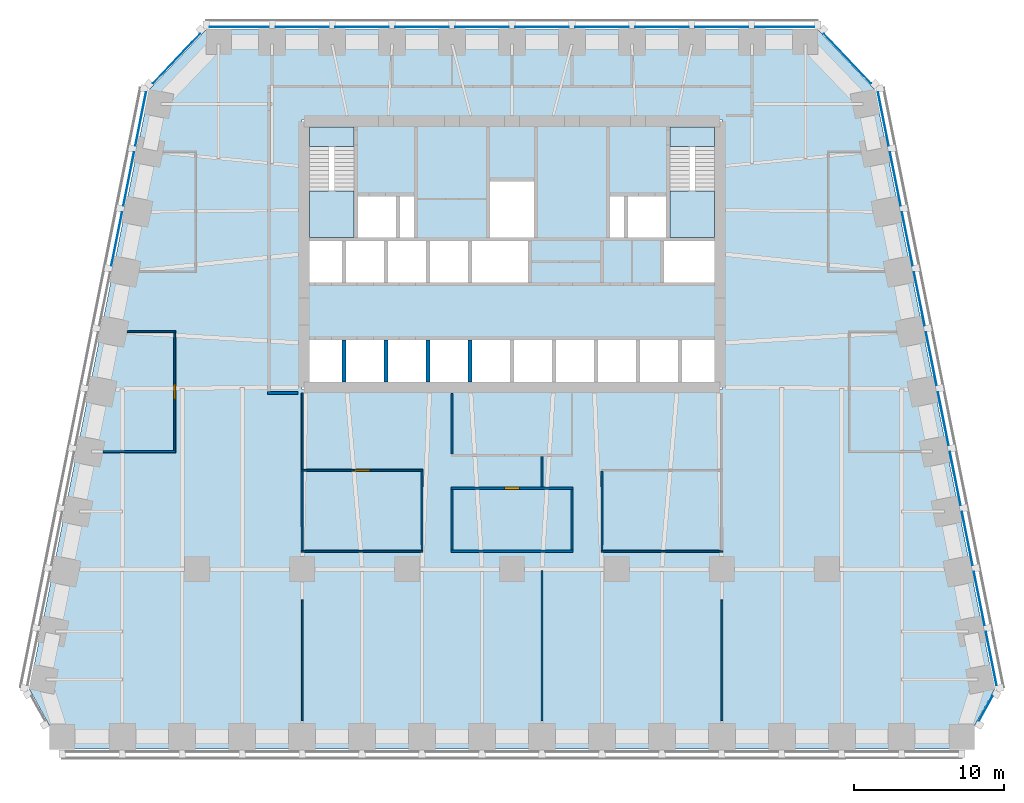
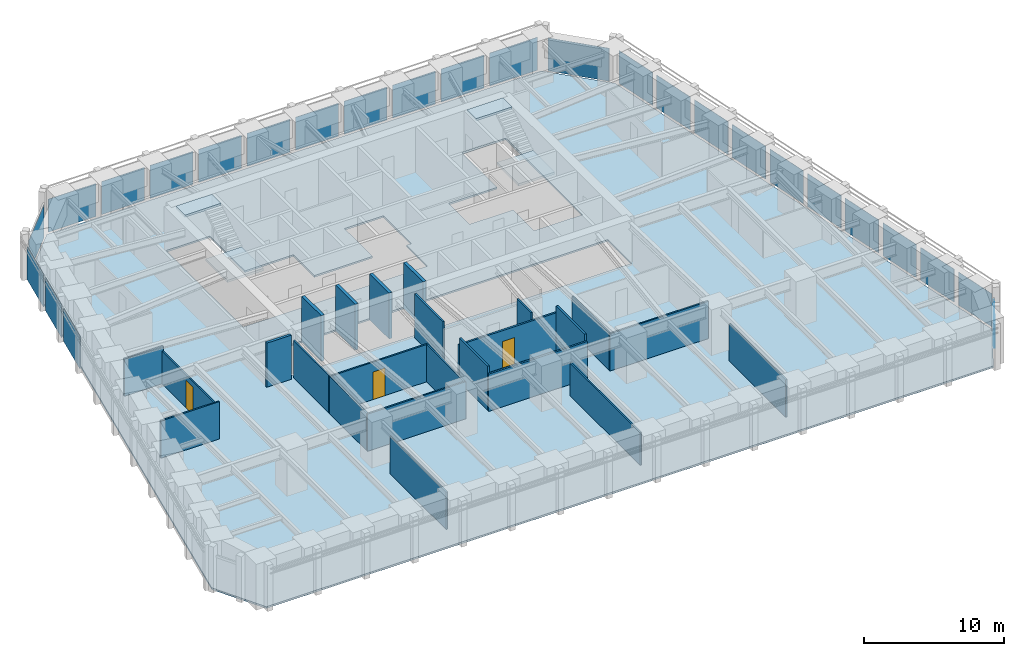
# One storey, part 5 of 10: 26 plates, 24 walls, 5 slabs, 3 doors, 3 openings, 8 elements without a shape of their own.
"""IFC4 building model written with IfcOpenShell, lengths in metres."""

from ifc_helpers import new_model, si_unit, direction, frame, frame_2d, origin, origin_2d, place, context, subcontext, project, spatial, polyline, rectangle, outline, extrude, material, layer, layer_set, type_object, element, fill, aggregate, save


model = new_model("IFC4")

# Units and contexts
model_context = context("Model", 3, precision=1e-05, world=origin(), true_north=direction((0.0, 1.0)))
body_context = subcontext(model_context, "Body", "Model", "MODEL_VIEW")
ifc_project = project(units=[si_unit("LENGTHUNIT", "METRE"), si_unit("AREAUNIT", "SQUARE_METRE"), si_unit("VOLUMEUNIT", "CUBIC_METRE"), si_unit("PLANEANGLEUNIT", "RADIAN"), si_unit("MASSUNIT", "GRAM", prefix="KILO")], contexts=[model_context])

# Site, building, storey
site_placement = place(None, origin())
site = spatial("IfcSite", under=ifc_project, at=site_placement, CompositionType="ELEMENT")
building_placement = place(site_placement, origin())
building = spatial("IfcBuilding", under=site, at=building_placement, Name="Isbrekke Arena Tower", CompositionType="ELEMENT")
storey_placement = place(building_placement, frame((0.0, 0.0, 147.0)))
storey = spatial("IfcBuildingStorey", under=building, at=storey_placement, Name="L33", CompositionType="ELEMENT", Elevation=147.0)

# Curtain wall, plate
ifc_material_1 = material(Name="Glazed aluminium curtain wall", Category="aluminium")
curtain_wall_type = type_object("IfcCurtainWallType", Name="CWM TOWER CURTAIN WALL MID ZONE", PredefinedType="USERDEFINED", material=ifc_material_1)
curtain_wall_1_placement = place(storey_placement, origin())
curtain_wall_1 = element("IfcCurtainWall", 1, at=curtain_wall_1_placement, inside=storey, type_object=curtain_wall_type, Name="CWM curtain wall L33-SE", ObjectType="TOWER CURTAIN WALL MID ZONE", PredefinedType="USERDEFINED")
ifc_material_2 = material(Name="Triple-glazed clear glass unit", Category="glass")
ifc_layer_1 = layer(ifc_material_2, 0.031982421875)
ifc_layer_set_1 = layer_set([ifc_layer_1], Name="CWM-P VISION PANEL")
plate_type = type_object("IfcPlateType", Name="CWM-P VISION PANEL", PredefinedType="CURTAIN_PANEL", material=ifc_layer_set_1)
plate_1_placement = place(storey_placement, frame((31.604248046875, -15.29052734375, 0.02001953125), z_axis=(0.0, 0.0, 1.0), x_axis=(0.481918749773, 0.876215908676, 0.0)))
plate_1 = element("IfcPlate", 2, at=plate_1_placement, type_object=plate_type, Name="CWM-P panel 1", PredefinedType="CURTAIN_PANEL", context=body_context, shape_type="SweptSolid", body=[
    extrude(rectangle(XDim=1.876220703125, YDim=0.031982421875, at=origin_2d()), origin(), (0.0, 0.0, 1.0), 2.8798828125),
])
aggregate(curtain_wall_1, [plate_1])

# Curtain wall, plates
curtain_wall_2_placement = place(storey_placement, origin())
curtain_wall_2 = element("IfcCurtainWall", 3, at=curtain_wall_2_placement, inside=storey, type_object=curtain_wall_type, Name="CWM curtain wall L33-E", ObjectType="TOWER CURTAIN WALL MID ZONE", PredefinedType="USERDEFINED")
plate_2_placement = place(storey_placement, frame((31.9716796875, -11.965576171875, 0.02001953125), z_axis=(0.0, 0.0, 1.0), x_axis=(-0.196116135138, 0.980580675691, 0.0)))
plate_2 = element("IfcPlate", 4, at=plate_2_placement, type_object=plate_type, Name="CWM-P panel 1", PredefinedType="CURTAIN_PANEL", context=body_context, shape_type="SweptSolid", body=[
    extrude(rectangle(XDim=3.629150390625, YDim=0.031982421875, at=origin_2d()), origin(), (0.0, 0.0, 1.0), 2.8798828125),
])
plate_3_placement = place(storey_placement, frame((31.171630859375, -7.965576171875, 0.02001953125), z_axis=(0.0, 0.0, 1.0), x_axis=(-0.196116135138, 0.980580675691, 0.0)))
plate_3 = element("IfcPlate", 5, at=plate_3_placement, type_object=plate_type, Name="CWM-P panel 2", PredefinedType="CURTAIN_PANEL", context=body_context, shape_type="SweptSolid", body=[
    extrude(rectangle(XDim=3.629150390625, YDim=0.031982421875, at=origin_2d()), origin(), (0.0, 0.0, 1.0), 2.8798828125),
])
plate_4_placement = place(storey_placement, frame((30.37158203125, -3.965576171875, 0.02001953125), z_axis=(0.0, 0.0, 1.0), x_axis=(-0.196116135138, 0.980580675691, 0.0)))
plate_4 = element("IfcPlate", 6, at=plate_4_placement, type_object=plate_type, Name="CWM-P panel 3", PredefinedType="CURTAIN_PANEL", context=body_context, shape_type="SweptSolid", body=[
    extrude(rectangle(XDim=3.629150390625, YDim=0.031982421875, at=origin_2d()), origin(), (0.0, 0.0, 1.0), 2.8798828125),
])
plate_5_placement = place(storey_placement, frame((29.571533203125, 0.034423828125, 0.02001953125), z_axis=(0.0, 0.0, 1.0), x_axis=(-0.196116135138, 0.980580675691, 0.0)))
plate_5 = element("IfcPlate", 7, at=plate_5_placement, type_object=plate_type, Name="CWM-P panel 4", PredefinedType="CURTAIN_PANEL", context=body_context, shape_type="SweptSolid", body=[
    extrude(rectangle(XDim=3.629150390625, YDim=0.031982421875, at=origin_2d()), origin(), (0.0, 0.0, 1.0), 2.8798828125),
])
plate_6_placement = place(storey_placement, frame((28.771484375, 4.034423828125, 0.02001953125), z_axis=(0.0, 0.0, 1.0), x_axis=(-0.196116135138, 0.980580675691, 0.0)))
plate_6 = element("IfcPlate", 8, at=plate_6_placement, type_object=plate_type, Name="CWM-P panel 5", PredefinedType="CURTAIN_PANEL", context=body_context, shape_type="SweptSolid", body=[
    extrude(rectangle(XDim=3.629150390625, YDim=0.031982421875, at=origin_2d()), origin(), (0.0, 0.0, 1.0), 2.8798828125),
])
plate_7_placement = place(storey_placement, frame((27.9716796875, 8.034423828125, 0.02001953125), z_axis=(0.0, 0.0, 1.0), x_axis=(-0.196116135138, 0.980580675691, 0.0)))
plate_7 = element("IfcPlate", 9, at=plate_7_placement, type_object=plate_type, Name="CWM-P panel 6", PredefinedType="CURTAIN_PANEL", context=body_context, shape_type="SweptSolid", body=[
    extrude(rectangle(XDim=3.629150390625, YDim=0.031982421875, at=origin_2d()), origin(), (0.0, 0.0, 1.0), 2.8798828125),
])
plate_8_placement = place(storey_placement, frame((27.171630859375, 12.034423828125, 0.02001953125), z_axis=(0.0, 0.0, 1.0), x_axis=(-0.196116135138, 0.980580675691, 0.0)))
plate_8 = element("IfcPlate", 10, at=plate_8_placement, type_object=plate_type, Name="CWM-P panel 7", PredefinedType="CURTAIN_PANEL", context=body_context, shape_type="SweptSolid", body=[
    extrude(rectangle(XDim=3.629150390625, YDim=0.031982421875, at=origin_2d()), origin(), (0.0, 0.0, 1.0), 2.8798828125),
])
plate_9_placement = place(storey_placement, frame((26.37158203125, 16.034423828125, 0.02001953125), z_axis=(0.0, 0.0, 1.0), x_axis=(-0.196116135138, 0.980580675691, 0.0)))
plate_9 = element("IfcPlate", 11, at=plate_9_placement, type_object=plate_type, Name="CWM-P panel 8", PredefinedType="CURTAIN_PANEL", context=body_context, shape_type="SweptSolid", body=[
    extrude(rectangle(XDim=3.629150390625, YDim=0.031982421875, at=origin_2d()), origin(), (0.0, 0.0, 1.0), 2.8798828125),
])
plate_10_placement = place(storey_placement, frame((25.571533203125, 20.034423828125, 0.02001953125), z_axis=(0.0, 0.0, 1.0), x_axis=(-0.196116135138, 0.980580675691, 0.0)))
plate_10 = element("IfcPlate", 12, at=plate_10_placement, type_object=plate_type, Name="CWM-P panel 9", PredefinedType="CURTAIN_PANEL", context=body_context, shape_type="SweptSolid", body=[
    extrude(rectangle(XDim=3.629150390625, YDim=0.031982421875, at=origin_2d()), origin(), (0.0, 0.0, 1.0), 2.8798828125),
])
plate_11_placement = place(storey_placement, frame((24.771484375, 24.034423828125, 0.02001953125), z_axis=(0.0, 0.0, 1.0), x_axis=(-0.196116135138, 0.980580675691, 0.0)))
plate_11 = element("IfcPlate", 13, at=plate_11_placement, type_object=plate_type, Name="CWM-P panel 10", PredefinedType="CURTAIN_PANEL", context=body_context, shape_type="SweptSolid", body=[
    extrude(rectangle(XDim=3.629150390625, YDim=0.031982421875, at=origin_2d()), origin(), (0.0, 0.0, 1.0), 2.8798828125),
])
aggregate(curtain_wall_2, [plate_2, plate_3, plate_4, plate_5, plate_6, plate_7, plate_8, plate_9, plate_10, plate_11])

# Curtain wall, plate
curtain_wall_3_placement = place(storey_placement, origin())
curtain_wall_3 = element("IfcCurtainWall", 14, at=curtain_wall_3_placement, inside=storey, type_object=curtain_wall_type, Name="CWM curtain wall L33-EN", ObjectType="TOWER CURTAIN WALL MID ZONE", PredefinedType="USERDEFINED")
plate_12_placement = place(storey_placement, frame((22.374755859375, 28.06640625, 0.02001953125), z_axis=(0.0, 0.0, 1.0), x_axis=(-0.68874946192, 0.72499943359, 0.0)))
plate_12 = element("IfcPlate", 15, at=plate_12_placement, type_object=plate_type, Name="CWM-P panel 1", PredefinedType="CURTAIN_PANEL", context=body_context, shape_type="SweptSolid", body=[
    extrude(rectangle(XDim=4.558349609375, YDim=0.031982421875, at=origin_2d()), origin(), (0.0, 0.0, 1.0), 2.8798828125),
])
aggregate(curtain_wall_3, [plate_12])

# Curtain wall, plates
curtain_wall_4_placement = place(storey_placement, origin())
curtain_wall_4 = element("IfcCurtainWall", 16, at=curtain_wall_4_placement, inside=storey, type_object=curtain_wall_type, Name="CWM curtain wall L33-N", ObjectType="TOWER CURTAIN WALL MID ZONE", PredefinedType="USERDEFINED")
plate_13_placement = place(storey_placement, frame((18.199951171875, 30.175048828125, 0.02001953125), z_axis=(0.0, 0.0, 1.0), x_axis=(-1.0, 0.0, 0.0)))
plate_13 = element("IfcPlate", 17, at=plate_13_placement, type_object=plate_type, Name="CWM-P panel 1", PredefinedType="CURTAIN_PANEL", context=body_context, shape_type="SweptSolid", body=[
    extrude(rectangle(XDim=3.949951171875, YDim=0.031982421875, at=origin_2d()), origin(), (0.0, 0.0, 1.0), 2.8798828125),
])
plate_14_placement = place(storey_placement, frame((14.0, 30.175048828125, 0.02001953125), z_axis=(0.0, 0.0, 1.0), x_axis=(-1.0, 0.0, 0.0)))
plate_14 = element("IfcPlate", 18, at=plate_14_placement, type_object=plate_type, Name="CWM-P panel 2", PredefinedType="CURTAIN_PANEL", context=body_context, shape_type="SweptSolid", body=[
    extrude(rectangle(XDim=3.550048828125, YDim=0.031982421875, at=origin_2d()), origin(), (0.0, 0.0, 1.0), 2.8798828125),
])
plate_15_placement = place(storey_placement, frame((10.0, 30.175048828125, 0.02001953125), z_axis=(0.0, 0.0, 1.0), x_axis=(-1.0, 0.0, 0.0)))
plate_15 = element("IfcPlate", 19, at=plate_15_placement, type_object=plate_type, Name="CWM-P panel 3", PredefinedType="CURTAIN_PANEL", context=body_context, shape_type="SweptSolid", body=[
    extrude(rectangle(XDim=3.550048828125, YDim=0.031982421875, at=origin_2d()), origin(), (0.0, 0.0, 1.0), 2.8798828125),
])
plate_16_placement = place(storey_placement, frame((6.0, 30.175048828125, 0.02001953125), z_axis=(0.0, 0.0, 1.0), x_axis=(-1.0, 0.0, 0.0)))
plate_16 = element("IfcPlate", 20, at=plate_16_placement, type_object=plate_type, Name="CWM-P panel 4", PredefinedType="CURTAIN_PANEL", context=body_context, shape_type="SweptSolid", body=[
    extrude(rectangle(XDim=3.550048828125, YDim=0.031982421875, at=origin_2d()), origin(), (0.0, 0.0, 1.0), 2.8798828125),
])
plate_17_placement = place(storey_placement, frame((2.0, 30.175048828125, 0.02001953125), z_axis=(0.0, 0.0, 1.0), x_axis=(-1.0, 0.0, 0.0)))
plate_17 = element("IfcPlate", 21, at=plate_17_placement, type_object=plate_type, Name="CWM-P panel 5", PredefinedType="CURTAIN_PANEL", context=body_context, shape_type="SweptSolid", body=[
    extrude(rectangle(XDim=3.550048828125, YDim=0.031982421875, at=origin_2d()), origin(), (0.0, 0.0, 1.0), 2.8798828125),
])
plate_18_placement = place(storey_placement, frame((-2.0, 30.175048828125, 0.02001953125), z_axis=(0.0, 0.0, 1.0), x_axis=(-1.0, 0.0, 0.0)))
plate_18 = element("IfcPlate", 22, at=plate_18_placement, type_object=plate_type, Name="CWM-P panel 6", PredefinedType="CURTAIN_PANEL", context=body_context, shape_type="SweptSolid", body=[
    extrude(rectangle(XDim=3.550048828125, YDim=0.031982421875, at=origin_2d()), origin(), (0.0, 0.0, 1.0), 2.8798828125),
])
plate_19_placement = place(storey_placement, frame((-6.0, 30.175048828125, 0.02001953125), z_axis=(0.0, 0.0, 1.0), x_axis=(-1.0, 0.0, 0.0)))
plate_19 = element("IfcPlate", 23, at=plate_19_placement, type_object=plate_type, Name="CWM-P panel 7", PredefinedType="CURTAIN_PANEL", context=body_context, shape_type="SweptSolid", body=[
    extrude(rectangle(XDim=3.550048828125, YDim=0.031982421875, at=origin_2d()), origin(), (0.0, 0.0, 1.0), 2.8798828125),
])
plate_20_placement = place(storey_placement, frame((-10.0, 30.175048828125, 0.02001953125), z_axis=(0.0, 0.0, 1.0), x_axis=(-1.0, 0.0, 0.0)))
plate_20 = element("IfcPlate", 24, at=plate_20_placement, type_object=plate_type, Name="CWM-P panel 8", PredefinedType="CURTAIN_PANEL", context=body_context, shape_type="SweptSolid", body=[
    extrude(rectangle(XDim=3.550048828125, YDim=0.031982421875, at=origin_2d()), origin(), (0.0, 0.0, 1.0), 2.8798828125),
])
plate_21_placement = place(storey_placement, frame((-14.0, 30.175048828125, 0.02001953125), z_axis=(0.0, 0.0, 1.0), x_axis=(-1.0, 0.0, 0.0)))
plate_21 = element("IfcPlate", 25, at=plate_21_placement, type_object=plate_type, Name="CWM-P panel 9", PredefinedType="CURTAIN_PANEL", context=body_context, shape_type="SweptSolid", body=[
    extrude(rectangle(XDim=3.550048828125, YDim=0.031982421875, at=origin_2d()), origin(), (0.0, 0.0, 1.0), 2.8798828125),
])
plate_22_placement = place(storey_placement, frame((-18.199951171875, 30.175048828125, 0.02001953125), z_axis=(0.0, 0.0, 1.0), x_axis=(-1.0, 0.0, 0.0)))
plate_22 = element("IfcPlate", 26, at=plate_22_placement, type_object=plate_type, Name="CWM-P panel 10", PredefinedType="CURTAIN_PANEL", context=body_context, shape_type="SweptSolid", body=[
    extrude(rectangle(XDim=3.949951171875, YDim=0.031982421875, at=origin_2d()), origin(), (0.0, 0.0, 1.0), 2.8798828125),
])
aggregate(curtain_wall_4, [plate_13, plate_14, plate_15, plate_16, plate_17, plate_18, plate_19, plate_20, plate_21, plate_22])

# Curtain wall, plate
curtain_wall_5_placement = place(storey_placement, origin())
curtain_wall_5 = element("IfcCurtainWall", 27, at=curtain_wall_5_placement, inside=storey, type_object=curtain_wall_type, Name="CWM curtain wall L33-NW", ObjectType="TOWER CURTAIN WALL MID ZONE", PredefinedType="USERDEFINED")
plate_23_placement = place(storey_placement, frame((-22.37451171875, 28.066650390625, 0.02001953125), z_axis=(0.0, 0.0, 1.0), x_axis=(-0.68874946192, -0.72499943359, 0.0)))
plate_23 = element("IfcPlate", 28, at=plate_23_placement, type_object=plate_type, Name="CWM-P panel 1", PredefinedType="CURTAIN_PANEL", context=body_context, shape_type="SweptSolid", body=[
    extrude(rectangle(XDim=4.557373046875, YDim=0.031982421875, at=origin_2d()), origin(), (0.0, 0.0, 1.0), 2.8798828125),
])
aggregate(curtain_wall_5, [plate_23])

# Curtain wall, plates
curtain_wall_6_placement = place(storey_placement, origin())
curtain_wall_6 = element("IfcCurtainWall", 29, at=curtain_wall_6_placement, inside=storey, type_object=curtain_wall_type, Name="CWM curtain wall L33-W", ObjectType="TOWER CURTAIN WALL MID ZONE", PredefinedType="USERDEFINED")
plate_24_placement = place(storey_placement, frame((-24.771484375, 24.034423828125, 0.02001953125), z_axis=(0.0, 0.0, 1.0), x_axis=(-0.196116135138, -0.980580675691, 0.0)))
plate_24 = element("IfcPlate", 30, at=plate_24_placement, type_object=plate_type, Name="CWM-P panel 1", PredefinedType="CURTAIN_PANEL", context=body_context, shape_type="SweptSolid", body=[
    extrude(rectangle(XDim=3.629150390625, YDim=0.031982421875, at=origin_2d()), origin(), (0.0, 0.0, 1.0), 2.8798828125),
])
plate_25_placement = place(storey_placement, frame((-25.571533203125, 20.034423828125, 0.02001953125), z_axis=(0.0, 0.0, 1.0), x_axis=(-0.196116135138, -0.980580675691, 0.0)))
plate_25 = element("IfcPlate", 31, at=plate_25_placement, type_object=plate_type, Name="CWM-P panel 2", PredefinedType="CURTAIN_PANEL", context=body_context, shape_type="SweptSolid", body=[
    extrude(rectangle(XDim=3.629150390625, YDim=0.031982421875, at=origin_2d()), origin(), (0.0, 0.0, 1.0), 2.8798828125),
])
plate_26_placement = place(storey_placement, frame((-26.37158203125, 16.034423828125, 0.02001953125), z_axis=(0.0, 0.0, 1.0), x_axis=(-0.196116135138, -0.980580675691, 0.0)))
plate_26 = element("IfcPlate", 32, at=plate_26_placement, type_object=plate_type, Name="CWM-P panel 3", PredefinedType="CURTAIN_PANEL", context=body_context, shape_type="SweptSolid", body=[
    extrude(rectangle(XDim=3.629150390625, YDim=0.031982421875, at=origin_2d()), origin(), (0.0, 0.0, 1.0), 2.8798828125),
])
aggregate(curtain_wall_6, [plate_24, plate_25, plate_26])

# Slab
ifc_material_3 = material(Name="Concrete B35 (C35/45)", Category="concrete")
ifc_layer_2 = layer(ifc_material_3, 0.14990234375)
ifc_layer_set_2 = layer_set([ifc_layer_2], Name="FS1 COMPOSITE FLOOR 150")
slab_type_1 = type_object("IfcSlabType", Name="FS1 COMPOSITE FLOOR 150", PredefinedType="FLOOR", material=ifc_layer_set_2)
slab_1_placement = place(storey_placement, frame((0.0, 0.0, -0.14990234375)))
element("IfcSlab", 33, at=slab_1_placement, inside=storey, type_object=slab_type_1, Name="FS1 floor slab L33", PredefinedType="FLOOR", context=body_context, shape_type="SweptSolid", body=[
    extrude(outline(polyline([(-30.0, -18.0), (30.0, -18.0), (32.199951171875, -14.0), (24.199951171875, 26.0), (20.39990234375, 30.0), (-20.39990234375, 30.0), (-24.199951171875, 26.0), (-32.199951171875, -14.0), (-30.0, -18.0)]), holes=[polyline([(14.0, 9.39990234375), (14.0, 6.0), (-14.0, 6.0), (-14.0, 9.39990234375), (14.0, 9.39990234375)]), polyline([(-6.39990234375, 19.0), (-6.39990234375, 16.0), (-1.60009765625, 16.0), (-1.60009765625, 20.0), (1.60009765625, 20.0), (1.60009765625, 16.0), (1.199951171875, 16.0), (1.199951171875, 13.0), (-14.0, 13.0), (-14.0, 24.0), (-10.39990234375, 24.0), (-10.39990234375, 19.0), (-6.39990234375, 19.0)]), polyline([(10.0, 13.0), (10.0, 16.0), (6.39990234375, 16.0), (6.39990234375, 19.0), (10.39990234375, 19.0), (10.39990234375, 24.0), (14.0, 24.0), (14.0, 13.0), (10.0, 13.0)])]), origin(), (0.0, 0.0, 1.0), 0.14990234375),
])

# Stair, slabs
ifc_material_4 = material(Name="Concrete B45 (C45/55) precast", Category="concrete")
stair_type = type_object("IfcStairType", Name="ST40 STAIR 1300 WIDE, 24 RISERS 167", PredefinedType="HALF_TURN_STAIR", material=ifc_material_4)
stair_1_placement = place(storey_placement, origin())
stair_1 = element("IfcStair", 34, at=stair_1_placement, inside=storey, type_object=stair_type, Name="ST1 stair L33", PredefinedType="HALF_TURN_STAIR")
ifc_material_5 = material(Name="Concrete B35 (C35/45)", Category="concrete")
ifc_layer_3 = layer(ifc_material_5, 0.199951171875)
ifc_layer_set_3 = layer_set([ifc_layer_3], Name="SL1 STAIR LANDING 200")
slab_type_2 = type_object("IfcSlabType", Name="SL1 STAIR LANDING 200", PredefinedType="LANDING", material=ifc_layer_set_3)
slab_2_placement = place(storey_placement, frame((0.0, 0.0, 1.800048828125)))
slab_2 = element("IfcSlab", 35, at=slab_2_placement, type_object=slab_type_2, Name="ST1 landing 1", PredefinedType="LANDING", context=body_context, shape_type="SweptSolid", body=[
    extrude(outline(polyline([(-13.5, 16.125), (-10.52490234375, 16.125), (-10.52490234375, 19.22998046875), (-13.5, 19.22998046875), (-13.5, 16.125)])), origin(), (0.0, 0.0, 1.0), 0.199951171875),
])
slab_3_placement = place(storey_placement, frame((0.0, 0.0, 3.800048828125)))
slab_3 = element("IfcSlab", 36, at=slab_3_placement, type_object=slab_type_2, Name="ST1 landing 2", PredefinedType="LANDING", context=body_context, shape_type="SweptSolid", body=[
    extrude(outline(polyline([(-13.5, 22.199951171875), (-10.52490234375, 22.199951171875), (-10.52490234375, 23.5), (-13.5, 23.5), (-13.5, 22.199951171875)])), origin(), (0.0, 0.0, 1.0), 0.199951171875),
])
aggregate(stair_1, [slab_2, slab_3])

stair_2_placement = place(storey_placement, origin())
stair_2 = element("IfcStair", 37, at=stair_2_placement, inside=storey, type_object=stair_type, Name="ST2 stair L33", PredefinedType="HALF_TURN_STAIR")
slab_4_placement = place(storey_placement, frame((0.0, 0.0, 1.800048828125)))
slab_4 = element("IfcSlab", 38, at=slab_4_placement, type_object=slab_type_2, Name="ST2 landing 1", PredefinedType="LANDING", context=body_context, shape_type="SweptSolid", body=[
    extrude(outline(polyline([(10.52490234375, 16.125), (13.5, 16.125), (13.5, 19.22998046875), (10.52490234375, 19.22998046875), (10.52490234375, 16.125)])), origin(), (0.0, 0.0, 1.0), 0.199951171875),
])
slab_5_placement = place(storey_placement, frame((0.0, 0.0, 3.800048828125)))
slab_5 = element("IfcSlab", 39, at=slab_5_placement, type_object=slab_type_2, Name="ST2 landing 2", PredefinedType="LANDING", context=body_context, shape_type="SweptSolid", body=[
    extrude(outline(polyline([(10.52490234375, 22.199951171875), (13.5, 22.199951171875), (13.5, 23.5), (10.52490234375, 23.5), (10.52490234375, 22.199951171875)])), origin(), (0.0, 0.0, 1.0), 0.199951171875),
])
aggregate(stair_2, [slab_4, slab_5])

# Walls
ifc_material_6 = material(Name="Concrete B45 (C45/55)", Category="concrete")
ifc_layer_4 = layer(ifc_material_6, 0.25)
ifc_layer_set_4 = layer_set([ifc_layer_4], Name="CW6 SHAFT WALL 250")
wall_type_1 = type_object("IfcWallType", Name="CW6 SHAFT WALL 250", PredefinedType="SHEAR", material=ifc_layer_set_4)
for number, where, z_axis, x_axis, name in (
    (40, (-11.199951171875, 6.5, 0.0), (0.0, 0.0, 1.0), (0.0, 1.0, 0.0), "Core wall SS01 L33"),
    (41, (-8.39990234375, 6.5, 0.0), (0.0, 0.0, 1.0), (0.0, 1.0, 0.0), "Core wall SS02 L33"),
    (42, (-5.60009765625, 6.5, 0.0), (0.0, 0.0, 1.0), (0.0, 1.0, 0.0), "Core wall SS03 L33"),
    (43, (-2.800048828125, 6.5, 0.0), (0.0, 0.0, 1.0), (0.0, 1.0, 0.0), "Core wall SS04 L33"),
):
    element("IfcWall", number, at=place(storey_placement, frame(where, z_axis=z_axis, x_axis=x_axis)), inside=storey, type_object=wall_type_1, Name=name, PredefinedType="SHEAR", context=body_context, shape_type="SweptSolid", body=[
        extrude(rectangle(XDim=2.77490234375, YDim=0.25, at=frame_2d((1.387451171875, 0.0))), origin(), (0.0, 0.0, 1.0), 4.0),
    ])
ifc_material_7 = material(Name="Gypsum board partition on steel studs", Category="steel")
ifc_layer_5 = layer(ifc_material_7, 0.14990234375)
ifc_layer_set_5 = layer_set([ifc_layer_5], Name="IW1 PARTITION 150")
wall_type_2 = type_object("IfcWallType", Name="IW1 PARTITION 150", PredefinedType="PARTITIONING", material=ifc_layer_set_5)
wall_1_placement = place(storey_placement, frame((-4.074951171875, -4.800048828125, 0.0), z_axis=(0.0, 0.0, 1.0), x_axis=(1.0, 0.0, 0.0)))
element("IfcWall", 44, at=wall_1_placement, inside=storey, type_object=wall_type_2, Name="IW1 partition 150 L33", PredefinedType="PARTITIONING", context=body_context, shape_type="SweptSolid", body=[
    extrude(rectangle(XDim=8.14990234375, YDim=0.14990234375, at=frame_2d((4.074951171875, 0.0))), origin(), (0.0, 0.0, 1.0), 3.25),
])

# Wall, opening, door
wall_2_placement = place(storey_placement, frame((-4.074951171875, -0.60009765625, 0.0), z_axis=(0.0, 0.0, 1.0), x_axis=(1.0, 0.0, 0.0)))
wall_2 = element("IfcWall", 45, at=wall_2_placement, inside=storey, type_object=wall_type_2, Name="IW1 partition 150 L33", PredefinedType="PARTITIONING", context=body_context, shape_type="SweptSolid", body=[
    extrude(rectangle(XDim=8.14990234375, YDim=0.14990234375, at=frame_2d((4.074951171875, 0.0))), origin(), (0.0, 0.0, 1.0), 3.25),
])
opening_1_placement = place(wall_2_placement, frame((3.574951171875, 0.0, 0.0)))
opening_1 = element("IfcOpeningElement", 46, at=opening_1_placement, cuts=wall_2, Name="Opening D10", PredefinedType="OPENING", context=body_context, shape_type="SweptSolid", body=[
    extrude(rectangle(XDim=1.0, YDim=2.300048828125, at=frame_2d((0.5, 1.14990234375))), frame((0.0, 0.08984375, 0.0), z_axis=(0.0, -1.0, 0.0), x_axis=(1.0, 0.0, 0.0)), (0.0, 0.0, 1.0), 0.1796875),
])
ifc_material_8 = material(Name="Timber door", Category="wood")
door_type_1 = type_object("IfcDoorType", Name="D10 OFFICE DOOR 1000 x 2300", OperationType="SINGLE_SWING_LEFT", PredefinedType="DOOR", material=ifc_material_8)
door_1_placement = place(opening_1_placement, origin())
door_1 = element("IfcDoor", 47, at=door_1_placement, inside=storey, type_object=door_type_1, Name="D10 pantry door L33", OperationType="SINGLE_SWING_LEFT", OverallHeight=2.300048828125, OverallWidth=1.0, PredefinedType="DOOR", context=body_context, shape_type="SweptSolid", body=[
    extrude(rectangle(XDim=1.0, YDim=2.300048828125, at=frame_2d((0.5, 1.14990234375))), frame((0.0, 0.07470703125, 0.0), z_axis=(0.0, -1.0, 0.0), x_axis=(1.0, 0.0, 0.0)), (0.0, 0.0, 1.0), 0.1494140625),
])
fill(opening_1, door_1)

# Walls
wall_3_placement = place(storey_placement, frame((-4.0, -4.72509765625, 0.0), z_axis=(0.0, 0.0, 1.0), x_axis=(0.0, 1.0, 0.0)))
element("IfcWall", 48, at=wall_3_placement, inside=storey, type_object=wall_type_2, Name="IW1 partition 150 L33", PredefinedType="PARTITIONING", context=body_context, shape_type="SweptSolid", body=[
    extrude(rectangle(XDim=4.050048828125, YDim=0.14990234375, at=frame_2d((2.02490234375, 0.0))), origin(), (0.0, 0.0, 1.0), 3.85009765625),
])
wall_4_placement = place(storey_placement, frame((-4.0, 1.675048828125, 0.0), z_axis=(0.0, 0.0, 1.0), x_axis=(0.0, 1.0, 0.0)))
element("IfcWall", 49, at=wall_4_placement, inside=storey, type_object=wall_type_2, Name="IW1 partition 150 L33", PredefinedType="PARTITIONING", context=body_context, shape_type="SweptSolid", body=[
    extrude(rectangle(XDim=4.044921875, YDim=0.14990234375, at=frame_2d((2.0224609375, 0.0))), origin(), (0.0, 0.0, 1.0), 3.85009765625),
])
wall_5_placement = place(storey_placement, frame((4.0, -4.72509765625, 0.0), z_axis=(0.0, 0.0, 1.0), x_axis=(0.0, 1.0, 0.0)))
element("IfcWall", 50, at=wall_5_placement, inside=storey, type_object=wall_type_2, Name="IW1 partition 150 L33", PredefinedType="PARTITIONING", context=body_context, shape_type="SweptSolid", body=[
    extrude(rectangle(XDim=4.050048828125, YDim=0.14990234375, at=frame_2d((2.02490234375, 0.0))), origin(), (0.0, 0.0, 1.0), 3.85009765625),
])
ifc_material_9 = material(Name="Frameless glazed partition, laminated acoustic glass", Category="glass")
ifc_layer_6 = layer(ifc_material_9, 0.1201171875)
ifc_layer_set_6 = layer_set([ifc_layer_6], Name="IW2 GLAZED PARTITION 120")
wall_type_3 = type_object("IfcWallType", Name="IW2 GLAZED PARTITION 120", PredefinedType="PARTITIONING", material=ifc_layer_set_6)
for number, where, z_axis, x_axis, name in (
    (51, (-14.06005859375, -4.800048828125, 0.0), (0.0, 0.0, 1.0), (1.0, 0.0, 0.0), "IW2 glazed partition 120 L33"),
    (52, (5.93994140625, -4.800048828125, 0.0), (0.0, 0.0, 1.0), (1.0, 0.0, 0.0), "IW2 glazed partition 120 L33"),
):
    element("IfcWall", number, at=place(storey_placement, frame(where, z_axis=z_axis, x_axis=x_axis)), inside=storey, type_object=wall_type_3, Name=name, PredefinedType="PARTITIONING", context=body_context, shape_type="SweptSolid", body=[
        extrude(rectangle(XDim=8.1201171875, YDim=0.1201171875, at=frame_2d((4.06005859375, 0.0))), origin(), (0.0, 0.0, 1.0), 3.25),
    ])

# Wall, opening, door
wall_6_placement = place(storey_placement, frame((-14.06005859375, 0.60009765625, 0.0), z_axis=(0.0, 0.0, 1.0), x_axis=(1.0, 0.0, 0.0)))
wall_6 = element("IfcWall", 53, at=wall_6_placement, inside=storey, type_object=wall_type_3, Name="IW2 glazed partition 120 L33", PredefinedType="PARTITIONING", context=body_context, shape_type="SweptSolid", body=[
    extrude(rectangle(XDim=8.1201171875, YDim=0.1201171875, at=frame_2d((4.06005859375, 0.0))), origin(), (0.0, 0.0, 1.0), 3.25),
])
opening_2_placement = place(wall_6_placement, frame((3.56005859375, 0.0, 0.0)))
opening_2 = element("IfcOpeningElement", 54, at=opening_2_placement, cuts=wall_6, Name="Opening D11", PredefinedType="OPENING", context=body_context, shape_type="SweptSolid", body=[
    extrude(rectangle(XDim=1.0, YDim=2.39990234375, at=frame_2d((0.5, 1.199951171875))), frame((0.0, 0.074951171875, 0.0), z_axis=(0.0, -1.0, 0.0), x_axis=(1.0, 0.0, 0.0)), (0.0, 0.0, 1.0), 0.14990234375),
])
ifc_material_10 = material(Name="Frameless glazed door", Category="glass")
door_type_2 = type_object("IfcDoorType", Name="D11 GLAZED MEETING ROOM DOOR 1000 x 2400", OperationType="SINGLE_SWING_RIGHT", PredefinedType="DOOR", material=ifc_material_10)
door_2_placement = place(opening_2_placement, origin())
door_2 = element("IfcDoor", 55, at=door_2_placement, inside=storey, type_object=door_type_2, Name="D11 meeting room door L33", OperationType="SINGLE_SWING_RIGHT", OverallHeight=2.39990234375, OverallWidth=1.0, PredefinedType="DOOR", context=body_context, shape_type="SweptSolid", body=[
    extrude(rectangle(XDim=1.0, YDim=2.39990234375, at=frame_2d((0.5, 1.199951171875))), frame((0.0, 0.059814453125, 0.0), z_axis=(0.0, -1.0, 0.0), x_axis=(1.0, 0.0, 0.0)), (0.0, 0.0, 1.0), 0.11962890625),
])
fill(opening_2, door_2)

# Walls
wall_7_placement = place(storey_placement, frame((-27.272705078125, 1.840087890625, 0.0), z_axis=(0.0, 0.0, 1.0), x_axis=(1.0, 0.0, 0.0)))
element("IfcWall", 56, at=wall_7_placement, inside=storey, type_object=wall_type_3, Name="IW2 glazed partition 120 L33", PredefinedType="PARTITIONING", context=body_context, shape_type="SweptSolid", body=[
    extrude(rectangle(XDim=4.832763671875, YDim=0.1201171875, at=frame_2d((2.41650390625, 0.0))), origin(), (0.0, 0.0, 1.0), 3.25),
])
wall_8_placement = place(storey_placement, frame((-25.6728515625, 9.840087890625, 0.0), z_axis=(0.0, 0.0, 1.0), x_axis=(1.0, 0.0, 0.0)))
element("IfcWall", 57, at=wall_8_placement, inside=storey, type_object=wall_type_3, Name="IW2 glazed partition 120 L33", PredefinedType="PARTITIONING", context=body_context, shape_type="SweptSolid", body=[
    extrude(rectangle(XDim=3.23291015625, YDim=0.1201171875, at=frame_2d((1.616455078125, 0.0))), origin(), (0.0, 0.0, 1.0), 3.25),
])

# Wall, opening, door
wall_9_placement = place(storey_placement, frame((-22.5, 1.89990234375, 0.0), z_axis=(0.0, 0.0, 1.0), x_axis=(0.0, 1.0, 0.0)))
wall_9 = element("IfcWall", 58, at=wall_9_placement, inside=storey, type_object=wall_type_3, Name="IW2 glazed partition 120 L33", PredefinedType="PARTITIONING", context=body_context, shape_type="SweptSolid", body=[
    extrude(rectangle(XDim=7.880126953125, YDim=0.1201171875, at=frame_2d((3.93994140625, 0.0))), origin(), (0.0, 0.0, 1.0), 2.842041015625),
])
opening_3_placement = place(wall_9_placement, frame((3.43994140625, 0.0, 0.0)))
opening_3 = element("IfcOpeningElement", 59, at=opening_3_placement, cuts=wall_9, Name="Opening D11", PredefinedType="OPENING", context=body_context, shape_type="SweptSolid", body=[
    extrude(rectangle(XDim=1.0, YDim=2.39990234375, at=frame_2d((0.5, 1.199951171875))), frame((0.0, 0.074951171875, 0.0), z_axis=(0.0, -1.0, 0.0), x_axis=(1.0, 0.0, 0.0)), (0.0, 0.0, 1.0), 0.14990234375),
])
door_3_placement = place(opening_3_placement, origin())
door_3 = element("IfcDoor", 60, at=door_3_placement, inside=storey, type_object=door_type_2, Name="D11 project room door L33", OperationType="SINGLE_SWING_RIGHT", OverallHeight=2.39990234375, OverallWidth=1.0, PredefinedType="DOOR", context=body_context, shape_type="SweptSolid", body=[
    extrude(rectangle(XDim=1.0, YDim=2.39990234375, at=frame_2d((0.5, 1.199951171875))), frame((0.0, 0.059814453125, 0.0), z_axis=(0.0, -1.0, 0.0), x_axis=(1.0, 0.0, 0.0)), (0.0, 0.0, 1.0), 0.11962890625),
])
fill(opening_3, door_3)

# Walls
for number, where, z_axis, x_axis, name in (
    (61, (-14.0, -4.739990234375, 0.0), (0.0, 0.0, 1.0), (0.0, 1.0, 0.0), "IW2 glazed partition 120 L33"),
    (62, (-6.0, -4.739990234375, 0.0), (0.0, 0.0, 1.0), (0.0, 1.0, 0.0), "IW2 glazed partition 120 L33"),
    (63, (6.0, -4.739990234375, 0.0), (0.0, 0.0, 1.0), (0.0, 1.0, 0.0), "IW2 glazed partition 120 L33"),
):
    element("IfcWall", number, at=place(storey_placement, frame(where, z_axis=z_axis, x_axis=x_axis)), inside=storey, type_object=wall_type_3, Name=name, PredefinedType="PARTITIONING", context=body_context, shape_type="SweptSolid", body=[
        extrude(rectangle(XDim=5.280029296875, YDim=0.1201171875, at=frame_2d((2.64013671875, 0.0))), origin(), (0.0, 0.0, 1.0), 3.25),
    ])
wall_10_placement = place(storey_placement, frame((-13.9990234375, -16.10009765625, 0.0), z_axis=(0.0, 0.0, 1.0), x_axis=(0.0, 1.0, 0.0)))
element("IfcWall", 64, at=wall_10_placement, inside=storey, type_object=wall_type_3, Name="IW2 glazed partition 120 L33", PredefinedType="PARTITIONING", context=body_context, shape_type="SweptSolid", body=[
    extrude(rectangle(XDim=8.050048828125, YDim=0.1201171875, at=frame_2d((4.02490234375, 0.0))), origin(), (0.0, 0.0, 1.0), 3.25),
])
wall_11_placement = place(storey_placement, frame((-13.9990234375, 0.679931640625, 0.0), z_axis=(0.0, 0.0, 1.0), x_axis=(0.0, 1.0, 0.0)))
element("IfcWall", 65, at=wall_11_placement, inside=storey, type_object=wall_type_3, Name="IW2 glazed partition 120 L33", PredefinedType="PARTITIONING", context=body_context, shape_type="SweptSolid", body=[
    extrude(rectangle(XDim=5.070068359375, YDim=0.1201171875, at=frame_2d((2.53515625, 0.0))), origin(), (0.0, 0.0, 1.0), 3.25),
])
wall_12_placement = place(storey_placement, frame((2.0009765625, -16.10009765625, 0.0), z_axis=(0.0, 0.0, 1.0), x_axis=(0.0, 1.0, 0.0)))
element("IfcWall", 66, at=wall_12_placement, inside=storey, type_object=wall_type_3, Name="IW2 glazed partition 120 L33", PredefinedType="PARTITIONING", context=body_context, shape_type="SweptSolid", body=[
    extrude(rectangle(XDim=10.005126953125, YDim=0.1201171875, at=frame_2d((5.00244140625, 0.0))), origin(), (0.0, 0.0, 1.0), 2.842041015625),
])
wall_13_placement = place(storey_placement, frame((2.0009765625, -0.5048828125, 0.0), z_axis=(0.0, 0.0, 1.0), x_axis=(0.0, 1.0, 0.0)))
element("IfcWall", 67, at=wall_13_placement, inside=storey, type_object=wall_type_3, Name="IW2 glazed partition 120 L33", PredefinedType="PARTITIONING", context=body_context, shape_type="SweptSolid", body=[
    extrude(rectangle(XDim=2.009765625, YDim=0.1201171875, at=frame_2d((1.0048828125, 0.0))), origin(), (0.0, 0.0, 1.0), 3.85009765625),
])
wall_14_placement = place(storey_placement, frame((14.0009765625, -16.10009765625, 0.0), z_axis=(0.0, 0.0, 1.0), x_axis=(0.0, 1.0, 0.0)))
element("IfcWall", 68, at=wall_14_placement, inside=storey, type_object=wall_type_3, Name="IW2 glazed partition 120 L33", PredefinedType="PARTITIONING", context=body_context, shape_type="SweptSolid", body=[
    extrude(rectangle(XDim=8.050048828125, YDim=0.1201171875, at=frame_2d((4.02490234375, 0.0))), origin(), (0.0, 0.0, 1.0), 3.25),
])
ifc_material_11 = material(Name="Gypsum board fire-cell wall on steel studs, two layers each side", Category="steel")
ifc_layer_7 = layer(ifc_material_11, 0.199951171875)
ifc_layer_set_7 = layer_set([ifc_layer_7], Name="IW3 FIRE-CELL WALL 200")
wall_type_4 = type_object("IfcWallType", Name="IW3 FIRE-CELL WALL 200", PredefinedType="PARTITIONING", material=ifc_layer_set_7)
wall_15_placement = place(storey_placement, frame((-16.300048828125, 5.75, 0.0), z_axis=(0.0, 0.0, 1.0), x_axis=(1.0, 0.0, 0.0)))
element("IfcWall", 69, at=wall_15_placement, inside=storey, type_object=wall_type_4, Name="IW3 fire-cell wall 200 L33", PredefinedType="PARTITIONING", context=body_context, shape_type="SweptSolid", body=[
    extrude(rectangle(XDim=2.02001953125, YDim=0.199951171875, at=frame_2d((1.010009765625, 0.0))), origin(), (0.0, 0.0, 1.0), 3.85009765625),
])

save(model, "model.ifc")
